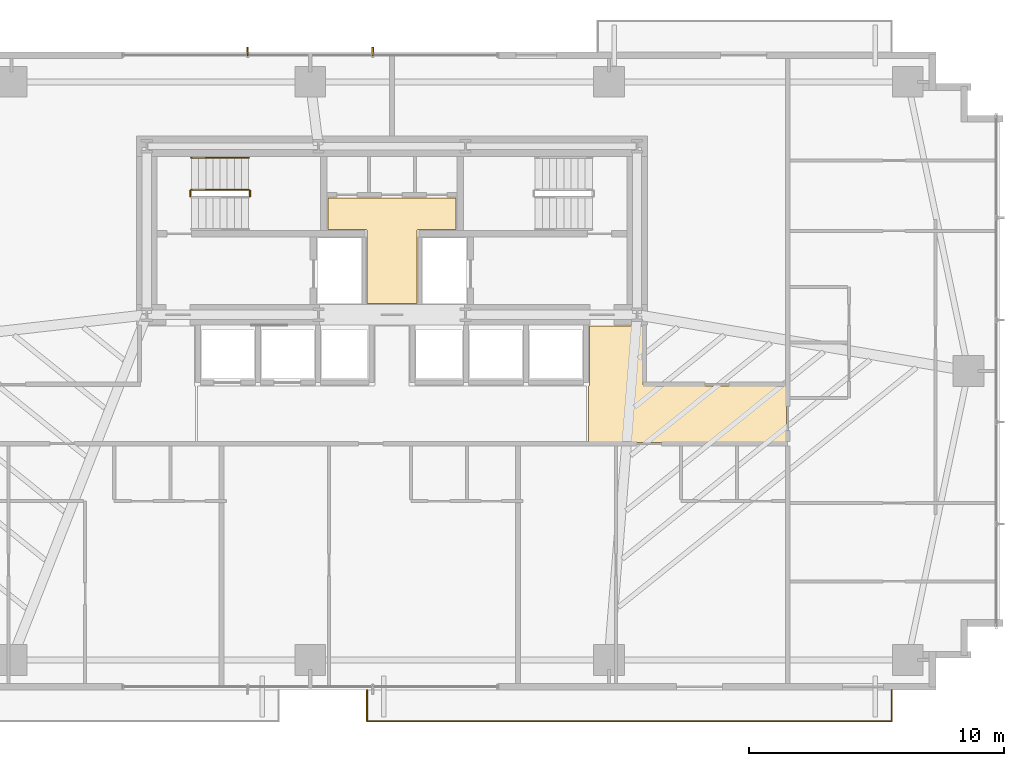
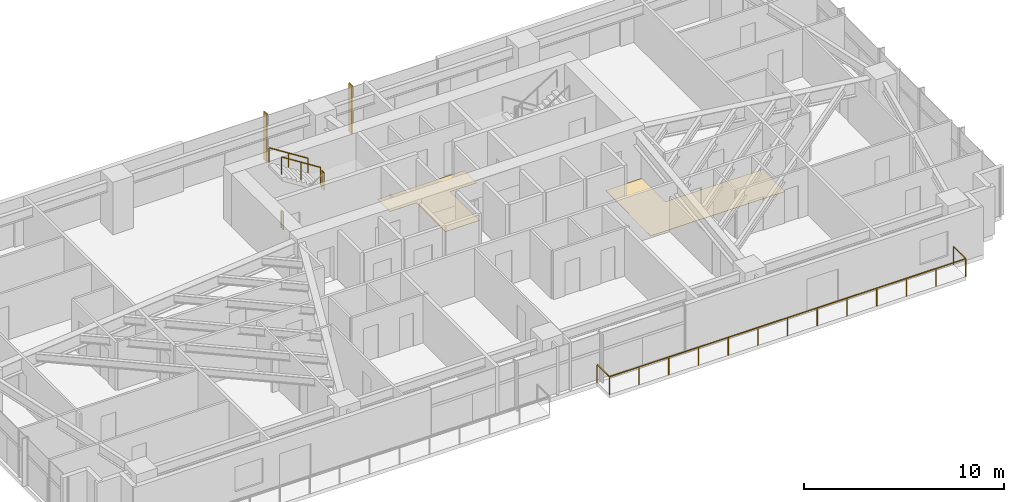
# One storey, part 24 of 25: 5 railings, 2 coverings, 2 shading devices.
"""IFC4 building model written with IfcOpenShell, lengths in metres."""

from ifc_helpers import new_model, si_unit, direction, frame, origin, origin_2d, place, context, subcontext, project, spatial, polyline, rectangle, outline, extrude, source, transform, mapped, material, layer, layer_set, type_object, type_shapes, element, save


model = new_model("IFC4")

# Units and contexts
model_context = context("Model", 3, precision=1e-05, world=origin(), true_north=direction((0.0, 1.0)))
body_context = subcontext(model_context, "Body", "Model", "MODEL_VIEW")
ifc_project = project(units=[si_unit("LENGTHUNIT", "METRE"), si_unit("AREAUNIT", "SQUARE_METRE"), si_unit("VOLUMEUNIT", "CUBIC_METRE"), si_unit("PLANEANGLEUNIT", "RADIAN"), si_unit("MASSUNIT", "GRAM", prefix="KILO")], contexts=[model_context])

# Site, building, storey
site_placement = place(None, origin())
site = spatial("IfcSite", under=ifc_project, at=site_placement, CompositionType="ELEMENT")
building_placement = place(site_placement, origin())
building = spatial("IfcBuilding", under=site, at=building_placement, Name="Astriad Promenade Condominiums", CompositionType="ELEMENT")
storey_placement = place(building_placement, frame((0.0, 0.0, 55.0)))
storey = spatial("IfcBuildingStorey", under=building, at=storey_placement, Name="L15", CompositionType="ELEMENT", Elevation=55.0)

# Coverings
ifc_material_1 = material(Name="Polished Lakefront Terrazzo Flooring")
ifc_layer = layer(ifc_material_1, 0.02001953125)
ifc_layer_set = layer_set([ifc_layer], Name="Polished Lakefront Terrazzo Flooring")
covering_type = type_object("IfcCoveringType", Name="COV-FLOR-TERRAZZO-20", PredefinedType="FLOORING", material=ifc_layer_set)
covering_1_placement = place(storey_placement, origin())
element("IfcCovering", 1, at=covering_1_placement, inside=storey, type_object=covering_type, Name="FLR-L15-CSL", PredefinedType="FLOORING", context=body_context, shape_type="SweptSolid", body=[
    extrude(outline(polyline([(36.97998046875, 20.699951171875), (36.97998046875, 17.840087890625), (35.02001953125, 17.840087890625), (35.02001953125, 20.699951171875), (35.019775390625, 20.703857421875), (35.019287109375, 20.707763671875), (35.018310546875, 20.711669921875), (35.01708984375, 20.71533203125), (35.015380859375, 20.718994140625), (35.01318359375, 20.72216796875), (35.010986328125, 20.725341796875), (35.00830078125, 20.728271484375), (35.00537109375, 20.73095703125), (35.002197265625, 20.7333984375), (34.998779296875, 20.7353515625), (34.995361328125, 20.737060546875), (34.99169921875, 20.73828125), (34.98779296875, 20.7392578125), (34.98388671875, 20.73974609375), (34.97998046875, 20.739990234375), (33.5, 20.739990234375), (33.5, 21.97998046875), (38.5, 21.97998046875), (38.5, 20.739990234375), (37.02001953125, 20.739990234375), (37.01611328125, 20.73974609375), (37.01220703125, 20.7392578125), (37.00830078125, 20.73828125), (37.004638671875, 20.737060546875), (37.001220703125, 20.7353515625), (36.997802734375, 20.7333984375), (36.99462890625, 20.73095703125), (36.99169921875, 20.728271484375), (36.989013671875, 20.725341796875), (36.98681640625, 20.72216796875), (36.984619140625, 20.718994140625), (36.98291015625, 20.71533203125), (36.981689453125, 20.711669921875), (36.980712890625, 20.707763671875), (36.980224609375, 20.703857421875), (36.97998046875, 20.699951171875)])), origin(), (0.0, 0.0, 1.0), 0.02001953125),
])
covering_2_placement = place(storey_placement, origin())
element("IfcCovering", 2, at=covering_2_placement, inside=storey, type_object=covering_type, Name="FLR-L15-COR-1", PredefinedType="FLOORING", context=body_context, shape_type="SweptSolid", body=[
    extrude(outline(polyline([(43.699951171875, 12.389892578125), (43.699951171875, 14.610107421875), (43.703857421875, 14.610107421875), (43.707763671875, 14.61083984375), (43.711669921875, 14.61181640625), (43.71533203125, 14.613037109375), (43.718994140625, 14.61474609375), (43.72216796875, 14.61669921875), (43.725341796875, 14.619140625), (43.728271484375, 14.62158203125), (43.73095703125, 14.62451171875), (43.7333984375, 14.627685546875), (43.7353515625, 14.631103515625), (43.737060546875, 14.634765625), (43.73828125, 14.638427734375), (43.7392578125, 14.64208984375), (43.73974609375, 14.64599609375), (43.739990234375, 14.64990234375), (43.739990234375, 16.9599609375), (45.840087890625, 16.9599609375), (45.840087890625, 14.659912109375), (45.840087890625, 14.656005859375), (45.8408203125, 14.652099609375), (45.841796875, 14.6484375), (45.843017578125, 14.644775390625), (45.8447265625, 14.64111328125), (45.8466796875, 14.6376953125), (45.84912109375, 14.634521484375), (45.851806640625, 14.631591796875), (45.8544921875, 14.629150390625), (45.85791015625, 14.626708984375), (45.861083984375, 14.624755859375), (45.86474609375, 14.623046875), (45.868408203125, 14.62158203125), (45.872314453125, 14.620849609375), (45.876220703125, 14.6201171875), (45.8798828125, 14.6201171875), (51.4599609375, 14.6201171875), (51.4599609375, 12.389892578125), (43.699951171875, 12.389892578125)])), origin(), (0.0, 0.0, 1.0), 0.02001953125),
])

# Shading devices
ifc_material_2 = material(Name="Anodised aluminium 6063-T6 Black Fin", Category="aluminium")
shading_device_type = type_object("IfcShadingDeviceType", Name="FIN-BLACK-320", PredefinedType="USERDEFINED", material=ifc_material_2)
shared_shape_1 = source(origin(), body_context, "Body", "SweptSolid", [
    extrude(rectangle(XDim=0.06494140625, YDim=0.320068359375, at=origin_2d()), origin(), (0.0, 0.0, 1.0), 2.93994140625),
])
type_shapes(shading_device_type, [shared_shape_1])
for number, where, z_axis, x_axis, name in (
    (3, (30.35009765625, 27.7099609375, 0.0), (0.0, 0.0, 1.0), (1.0, 0.0, 0.0), "CW-L15-N-FIN-01"),
    (4, (35.25, 27.7099609375, 0.0), (0.0, 0.0, 1.0), (1.0, 0.0, 0.0), "CW-L15-N-FIN-02"),
):
    element("IfcShadingDevice", number, at=place(storey_placement, frame(where, z_axis=z_axis, x_axis=x_axis)), inside=storey, type_object=shading_device_type, Name=name, ObjectType="FIN", PredefinedType="USERDEFINED", context=body_context, shape_type="MappedRepresentation", body=[
        mapped(shared_shape_1, transform((0.0, 0.0, 0.0), scale=1.0)),
    ])

# Railings
ifc_material_3 = material(Name="Laminated Glass and Stainless Steel Balustrade", Category="steel")
railing_type_1 = type_object("IfcRailingType", Name="GRD-BALC-1120", PredefinedType="BALUSTRADE", material=ifc_material_3)
shared_shape_2 = source(origin(), body_context, "Body", "SweptSolid", [
    extrude(rectangle(XDim=0.048095703125, YDim=0.048095703125, at=origin_2d()), frame((0.0, 0.0, 1.09619140625), z_axis=(0.0, -1.0, 0.0), x_axis=(1.0, 0.0, 0.0)), (0.0, 0.0, 1.0), 1.219970703125),
    extrude(rectangle(XDim=0.048095703125, YDim=0.048095703125, at=origin_2d()), frame((0.0, -1.219970703125, 1.09619140625), z_axis=(1.0, 0.0, 0.0), x_axis=(0.0, 1.0, 0.0)), (0.0, 0.0, 1.0), 20.55078125),
    extrude(rectangle(XDim=0.048095703125, YDim=0.048095703125, at=origin_2d()), frame((20.55078125, -1.219970703125, 1.09619140625), z_axis=(0.0, 1.0, 0.0), x_axis=(-1.0, 0.0, 0.0)), (0.0, 0.0, 1.0), 1.219970703125),
    extrude(rectangle(XDim=0.0419921875, YDim=0.0419921875, at=origin_2d()), origin(), (0.0, 0.0, 1.0), 1.072021484375),
    extrude(rectangle(XDim=0.0419921875, YDim=0.0419921875, at=origin_2d()), frame((0.0, -1.219970703125, 0.0)), (0.0, 0.0, 1.0), 1.072021484375),
    extrude(rectangle(XDim=0.0419921875, YDim=0.0419921875, at=origin_2d()), frame((1.712646484375, -1.219970703125, 0.0)), (0.0, 0.0, 1.0), 1.072021484375),
    extrude(rectangle(XDim=0.0419921875, YDim=0.0419921875, at=origin_2d()), frame((3.425048828125, -1.219970703125, 0.0)), (0.0, 0.0, 1.0), 1.072021484375),
    extrude(rectangle(XDim=0.0419921875, YDim=0.0419921875, at=origin_2d()), frame((5.1376953125, -1.219970703125, 0.0)), (0.0, 0.0, 1.0), 1.072021484375),
    extrude(rectangle(XDim=0.0419921875, YDim=0.0419921875, at=origin_2d()), frame((6.850341796875, -1.219970703125, 0.0)), (0.0, 0.0, 1.0), 1.072021484375),
    extrude(rectangle(XDim=0.0419921875, YDim=0.0419921875, at=origin_2d()), frame((8.562744140625, -1.219970703125, 0.0)), (0.0, 0.0, 1.0), 1.072021484375),
    extrude(rectangle(XDim=0.0419921875, YDim=0.0419921875, at=origin_2d()), frame((10.275390625, -1.219970703125, 0.0)), (0.0, 0.0, 1.0), 1.072021484375),
    extrude(rectangle(XDim=0.0419921875, YDim=0.0419921875, at=origin_2d()), frame((11.988037109375, -1.219970703125, 0.0)), (0.0, 0.0, 1.0), 1.072021484375),
    extrude(rectangle(XDim=0.0419921875, YDim=0.0419921875, at=origin_2d()), frame((13.700439453125, -1.219970703125, 0.0)), (0.0, 0.0, 1.0), 1.072021484375),
    extrude(rectangle(XDim=0.0419921875, YDim=0.0419921875, at=origin_2d()), frame((15.4130859375, -1.219970703125, 0.0)), (0.0, 0.0, 1.0), 1.072021484375),
    extrude(rectangle(XDim=0.0419921875, YDim=0.0419921875, at=origin_2d()), frame((17.125732421875, -1.219970703125, 0.0)), (0.0, 0.0, 1.0), 1.072021484375),
    extrude(rectangle(XDim=0.0419921875, YDim=0.0419921875, at=origin_2d()), frame((18.838134765625, -1.219970703125, 0.0)), (0.0, 0.0, 1.0), 1.072021484375),
    extrude(rectangle(XDim=0.0419921875, YDim=0.0419921875, at=origin_2d()), frame((20.55078125, -1.219970703125, 0.0)), (0.0, 0.0, 1.0), 1.072021484375),
    extrude(rectangle(XDim=0.0419921875, YDim=0.0419921875, at=origin_2d()), frame((20.55078125, 0.0, 0.0)), (0.0, 0.0, 1.0), 1.072021484375),
])
type_shapes(railing_type_1, [shared_shape_2])
railing_1_placement = place(storey_placement, frame((35.027099609375, 2.699951171875, 0.0)))
element("IfcRailing", 5, at=railing_1_placement, inside=storey, type_object=railing_type_1, Name="GRD-BALC-L15-SE", PredefinedType="BALUSTRADE", context=body_context, shape_type="MappedRepresentation", body=[
    mapped(shared_shape_2, transform((0.0, 0.0, 0.0), scale=1.0)),
])
ifc_material_4 = material(Name="Painted Galvanised Steel Guardrail", Category="steel")
railing_type_2 = type_object("IfcRailingType", Name="GRD-STAIR-1100", PredefinedType="GUARDRAIL", material=ifc_material_4)
shared_shape_3 = source(origin(), body_context, "Body", "SweptSolid", [
    extrude(rectangle(XDim=0.048095703125, YDim=0.048095703125, at=origin_2d()), frame((0.0, 0.0, 1.076171875), z_axis=(0.0, 1.0, 0.0), x_axis=(-1.0, 0.0, 0.0)), (0.0, 0.0, 1.0), 0.199951171875),
    extrude(rectangle(XDim=0.0419921875, YDim=0.0419921875, at=origin_2d()), origin(), (0.0, 0.0, 1.0), 1.052001953125),
    extrude(rectangle(XDim=0.0419921875, YDim=0.0419921875, at=origin_2d()), frame((0.0, 0.199951171875, 0.0)), (0.0, 0.0, 1.0), 1.052001953125),
])
for number, where, name in (
    (6, (30.43994140625, 22.050048828125, 1.60009765625), "L15 ST-1 stair guard 2"),
    (7, (28.10009765625, 22.050048828125, 0.0), "L15 ST-1 stair guard 4"),
):
    element("IfcRailing", number, at=place(storey_placement, frame(where)), inside=storey, type_object=railing_type_2, Name=name, PredefinedType="GUARDRAIL", context=body_context, shape_type="MappedRepresentation", body=[
        mapped(shared_shape_3, transform((0.0, 0.0, 0.0), scale=1.0)),
    ])
shared_shape_4 = source(origin(), body_context, "Body", "SweptSolid", [
    extrude(rectangle(XDim=0.048095703125, YDim=0.048095703125, at=origin_2d()), frame((0.0, 0.0, 1.076171875), z_axis=(-0.8442293374, 0.0, 0.53598211339), x_axis=(0.0, -1.0, 0.0)), (0.0, 0.0, 1.0), 2.6533203125),
    extrude(rectangle(XDim=0.0419921875, YDim=0.0419921875, at=origin_2d()), origin(), (0.0, 0.0, 1.0), 1.052001953125),
    extrude(rectangle(XDim=0.0419921875, YDim=0.0419921875, at=origin_2d()), frame((-1.1201171875, 0.0, 0.7109375)), (0.0, 0.0, 1.0), 1.052001953125),
    extrude(rectangle(XDim=0.0419921875, YDim=0.0419921875, at=origin_2d()), frame((-2.239990234375, 0.0, 1.422119140625)), (0.0, 0.0, 1.0), 1.052001953125),
])
type_shapes(railing_type_2, [shared_shape_3, shared_shape_4])
railing_2_placement = place(storey_placement, frame((30.389892578125, 22.300048828125, 1.77783203125)))
element("IfcRailing", 8, at=railing_2_placement, inside=storey, type_object=railing_type_2, Name="L15 ST-1 stair guard 3", PredefinedType="GUARDRAIL", context=body_context, shape_type="MappedRepresentation", body=[
    mapped(shared_shape_4, transform((0.0, 0.0, 0.0), scale=1.0)),
])
ifc_material_5 = material(Name="Brushed Stainless Steel Handrail", Category="steel")
railing_type_3 = type_object("IfcRailingType", Name="HRL-STAIR-920", PredefinedType="HANDRAIL", material=ifc_material_5)
shared_shape_5 = source(origin(), body_context, "Body", "SweptSolid", [
    extrude(rectangle(XDim=0.048095703125, YDim=0.048095703125, at=origin_2d()), frame((0.0, 0.0, 0.8759765625), z_axis=(-0.8442293374, 0.0, 0.53598211339), x_axis=(0.0, -1.0, 0.0)), (0.0, 0.0, 1.0), 2.6533203125),
    extrude(rectangle(XDim=0.0419921875, YDim=0.0419921875, at=origin_2d()), origin(), (0.0, 0.0, 1.0), 0.851806640625),
    extrude(rectangle(XDim=0.0419921875, YDim=0.0419921875, at=origin_2d()), frame((-1.1201171875, 0.0, 0.7109375)), (0.0, 0.0, 1.0), 0.851806640625),
    extrude(rectangle(XDim=0.0419921875, YDim=0.0419921875, at=origin_2d()), frame((-2.239990234375, 0.0, 1.422119140625)), (0.0, 0.0, 1.0), 0.851806640625),
])
type_shapes(railing_type_3, [shared_shape_5])
railing_3_placement = place(storey_placement, frame((30.389892578125, 23.550048828125, 1.77783203125)))
element("IfcRailing", 9, at=railing_3_placement, inside=storey, type_object=railing_type_3, Name="L15 ST-1 stair handrail 2", PredefinedType="HANDRAIL", context=body_context, shape_type="MappedRepresentation", body=[
    mapped(shared_shape_5, transform((0.0, 0.0, 0.0), scale=1.0)),
])

save(model, "model.ifc")
